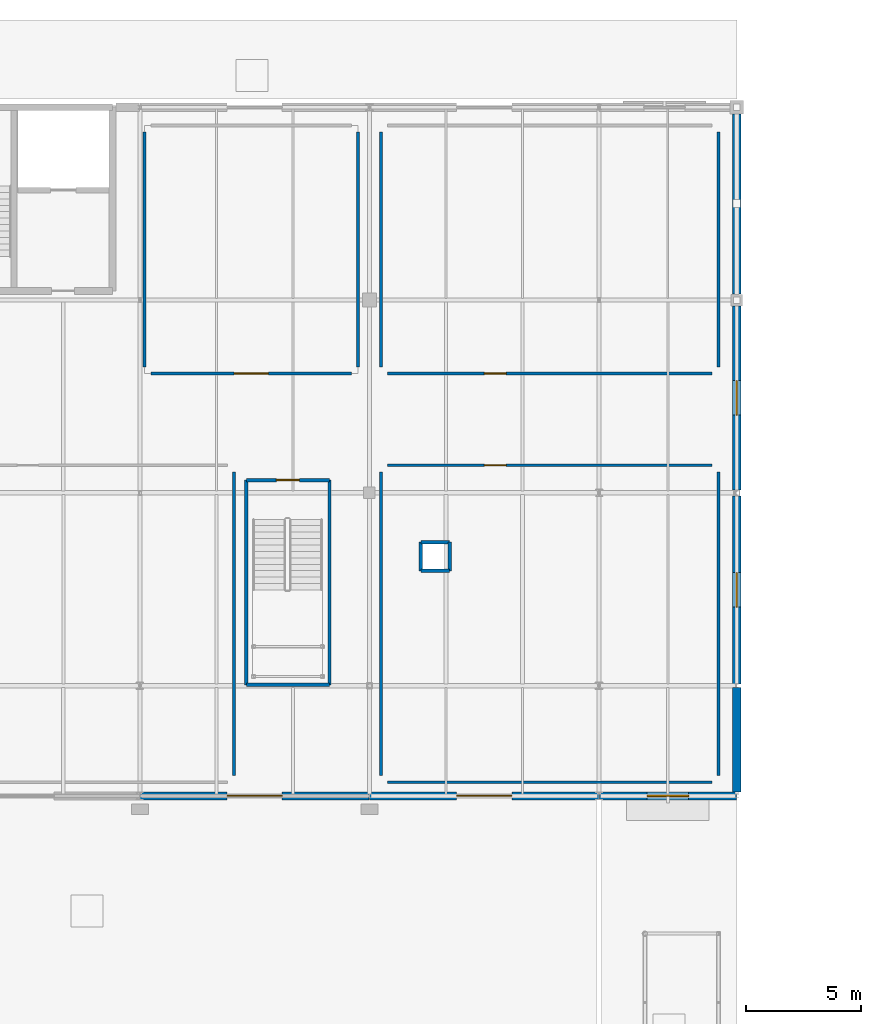
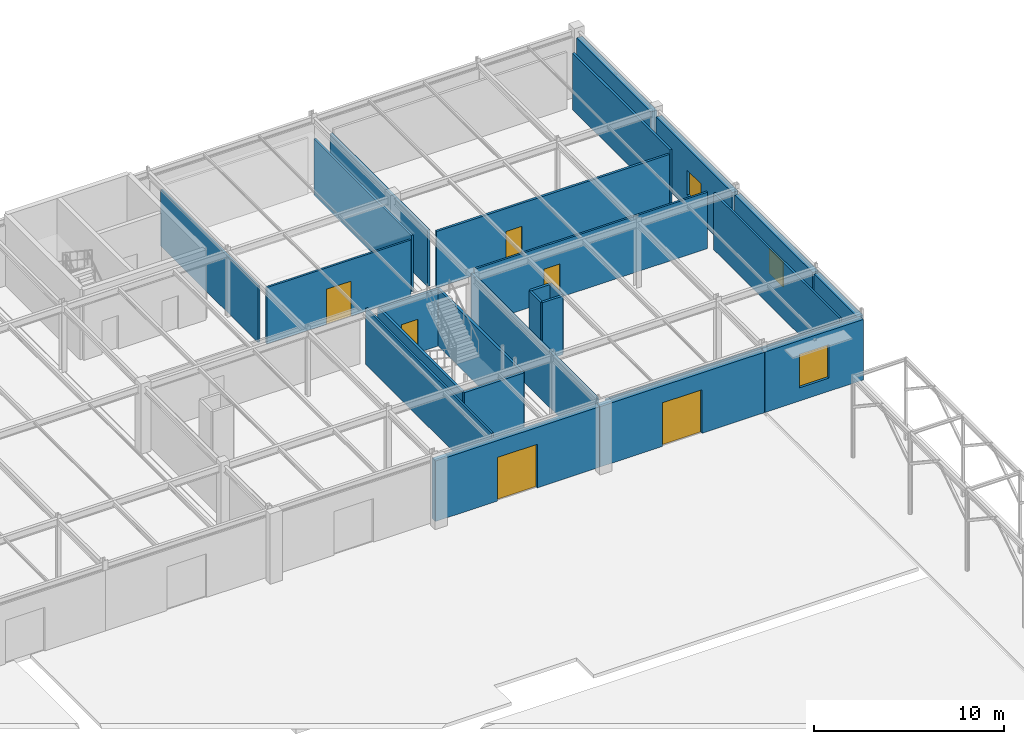
# One storey, part 96 of 119: 26 walls, 6 doors, 3 windows, 9 openings.
"""IFC4 building model written with IfcOpenShell, lengths in metres."""

from ifc_helpers import new_model, si_unit, derived_unit, direction, frame, frame_2d, origin, place, context, subcontext, project, spatial, rectangle, extrude, material, layer, layer_set, type_object, element, fill, save


model = new_model("IFC4")

# Units and contexts
model_context = context("Model", 3, precision=1e-05, world=origin(), true_north=direction((0.0, 1.0)))
body_context = subcontext(model_context, "Body", "Model", "MODEL_VIEW")
ifc_project = project(units=[si_unit("LENGTHUNIT", "METRE"), si_unit("AREAUNIT", "SQUARE_METRE"), si_unit("VOLUMEUNIT", "CUBIC_METRE"), si_unit("PLANEANGLEUNIT", "RADIAN"), si_unit("MASSUNIT", "GRAM", prefix="KILO"), derived_unit("THERMALTRANSMITTANCEUNIT", [(si_unit("POWERUNIT", "WATT"), 1), (si_unit("LENGTHUNIT", "METRE"), -2), (si_unit("THERMODYNAMICTEMPERATUREUNIT", "KELVIN"), -1)])], contexts=[model_context])

# Site, building, storey
site_placement = place(None, origin())
site = spatial("IfcSite", under=ifc_project, at=site_placement, CompositionType="ELEMENT")
building_placement = place(site_placement, origin())
building = spatial("IfcBuilding", under=site, at=building_placement, Name="Cinnabar Yard Market Hall", CompositionType="ELEMENT")
storey_placement = place(building_placement, origin())
storey = spatial("IfcBuildingStorey", under=building, at=storey_placement, Name="L00", CompositionType="ELEMENT", Elevation=0.0)

# Walls
ifc_material_1 = material(Name="Acoustic steel-stud plasterboard", Category="steel")
ifc_layer_1 = layer(ifc_material_1, 0.1201171875)
ifc_layer_set_1 = layer_set([ifc_layer_1], Name="Acoustic steel-stud plasterboard")
wall_type_1 = type_object("IfcWallType", Name="WL-PT120", PredefinedType="PARTITIONING", material=ifc_layer_set_1)
wall_1_placement = place(storey_placement, frame((140.10009765625, 108.8798828125, 0.0), z_axis=(0.0, 0.0, 1.0), x_axis=(0.0, 1.0, 0.0)))
element("IfcWall", 1, at=wall_1_placement, inside=storey, type_object=wall_type_1, Name="Partition Ceramic Tableware and Knife Workshop east", PredefinedType="PARTITIONING", context=body_context, shape_type="SweptSolid", body=[
    extrude(rectangle(XDim=13.240234375, YDim=0.1201171875, at=frame_2d((6.6201171875, 0.0), x_axis=(1.0, 0.0))), origin(), (0.0, 0.0, 1.0), 3.6201171875),
])
wall_2_placement = place(storey_placement, frame((146.780029296875, 108.60009765625, 0.0), z_axis=(0.0, 0.0, 1.0), x_axis=(1.0, 0.0, 0.0)))
element("IfcWall", 2, at=wall_2_placement, inside=storey, type_object=wall_type_1, Name="Partition Botanical Spice Blending Workshop south", PredefinedType="PARTITIONING", context=body_context, shape_type="SweptSolid", body=[
    extrude(rectangle(XDim=14.139892578125, YDim=0.1201171875, at=frame_2d((7.06982421875, 0.0), x_axis=(1.0, 0.0))), origin(), (0.0, 0.0, 1.0), 3.6201171875),
])
wall_3_placement = place(storey_placement, frame((161.199951171875, 108.8798828125, 0.0), z_axis=(0.0, 0.0, 1.0), x_axis=(0.0, 1.0, 0.0)))
element("IfcWall", 3, at=wall_3_placement, inside=storey, type_object=wall_type_1, Name="Partition Botanical Spice Blending Workshop east", PredefinedType="PARTITIONING", context=body_context, shape_type="SweptSolid", body=[
    extrude(rectangle(XDim=13.240234375, YDim=0.1201171875, at=frame_2d((6.6201171875, 0.0), x_axis=(1.0, 0.0))), origin(), (0.0, 0.0, 1.0), 3.6201171875),
])

# Wall, opening, door
wall_4_placement = place(storey_placement, frame((160.919921875, 122.39990234375, 0.0), z_axis=(0.0, 0.0, 1.0), x_axis=(-1.0, 0.0, 0.0)))
wall_4 = element("IfcWall", 4, at=wall_4_placement, inside=storey, type_object=wall_type_1, Name="Partition Botanical Spice Blending Workshop north", PredefinedType="PARTITIONING", context=body_context, shape_type="SweptSolid", body=[
    extrude(rectangle(XDim=14.139892578125, YDim=0.1201171875, at=frame_2d((7.06982421875, 0.0), x_axis=(1.0, 0.0))), origin(), (0.0, 0.0, 1.0), 3.6201171875),
])
opening_1_placement = place(wall_4_placement, frame((8.96923828125, 0.0, 0.0)))
opening_1 = element("IfcOpeningElement", 5, at=opening_1_placement, cuts=wall_4, Name="Opening ID-134", PredefinedType="OPENING", context=body_context, shape_type="SweptSolid", body=[
    extrude(rectangle(XDim=0.949951171875, YDim=2.14990234375, at=frame_2d((0.47509765625, 1.074951171875), x_axis=(1.0, 0.0))), frame((0.0, 0.070068359375, 0.0), z_axis=(0.0, -1.0, 0.0), x_axis=(1.0, 0.0, 0.0)), (0.0, 0.0, 1.0), 0.14013671875),
])
ifc_material_2 = material(Name="Solid-core spotted gum timber", Category="wood")
door_type_1 = type_object("IfcDoorType", Name="DR-D06", OperationType="NOTDEFINED", PredefinedType="DOOR", material=ifc_material_2)
door_1_placement = place(opening_1_placement, origin())
door_1 = element("IfcDoor", 6, at=door_1_placement, inside=storey, type_object=door_type_1, Name="Interior Door ID-134", OperationType="SINGLE_SWING_LEFT", OverallHeight=2.14990234375, OverallWidth=0.949951171875, PredefinedType="DOOR", context=body_context, shape_type="SweptSolid", body=[
    extrude(rectangle(XDim=0.949951171875, YDim=2.14990234375, at=frame_2d((0.47509765625, 1.074951171875), x_axis=(1.0, 0.0))), frame((0.0, 0.02490234375, 0.0), z_axis=(0.0, -1.0, 0.0), x_axis=(1.0, 0.0, 0.0)), (0.0, 0.0, 1.0), 0.050048828125),
])
fill(opening_1, door_1)

# Wall
wall_5_placement = place(storey_placement, frame((146.5, 122.1201171875, 0.0), z_axis=(0.0, 0.0, 1.0), x_axis=(0.0, -1.0, 0.0)))
element("IfcWall", 7, at=wall_5_placement, inside=storey, type_object=wall_type_1, Name="Partition Botanical Spice Blending Workshop west", PredefinedType="PARTITIONING", context=body_context, shape_type="SweptSolid", body=[
    extrude(rectangle(XDim=13.240234375, YDim=0.1201171875, at=frame_2d((6.6201171875, 0.0), x_axis=(1.0, 0.0))), origin(), (0.0, 0.0, 1.0), 3.6201171875),
])

# Wall, opening, door
wall_6_placement = place(storey_placement, frame((136.47998046875, 126.39990234375, 0.0), z_axis=(0.0, 0.0, 1.0), x_axis=(1.0, 0.0, 0.0)))
wall_6 = element("IfcWall", 8, at=wall_6_placement, inside=storey, type_object=wall_type_1, Name="Partition Market Heritage Community Room 02 south", PredefinedType="PARTITIONING", context=body_context, shape_type="SweptSolid", body=[
    extrude(rectangle(XDim=8.739990234375, YDim=0.1201171875, at=frame_2d((4.3701171875, 0.0), x_axis=(1.0, 0.0))), origin(), (0.0, 0.0, 1.0), 3.6201171875),
])
opening_2_placement = place(wall_6_placement, frame((3.6201171875, 0.0, 0.0)))
opening_2 = element("IfcOpeningElement", 9, at=opening_2_placement, cuts=wall_6, Name="Opening ID-137", PredefinedType="OPENING", context=body_context, shape_type="SweptSolid", body=[
    extrude(rectangle(XDim=1.5, YDim=2.25, at=frame_2d((0.75, 1.125), x_axis=(1.0, 0.0))), frame((0.0, 0.070068359375, 0.0), z_axis=(0.0, -1.0, 0.0), x_axis=(1.0, 0.0, 0.0)), (0.0, 0.0, 1.0), 0.14013671875),
])
ifc_material_3 = material(Name="Spotted gum timber and vision glass", Category="wood")
door_type_2 = type_object("IfcDoorType", Name="DR-D08", OperationType="NOTDEFINED", PredefinedType="DOOR", material=ifc_material_3)
door_2_placement = place(opening_2_placement, origin())
door_2 = element("IfcDoor", 10, at=door_2_placement, inside=storey, type_object=door_type_2, Name="Interior Door ID-137", OperationType="DOUBLE_SWING_RIGHT", OverallHeight=2.25, OverallWidth=1.5, PredefinedType="DOOR", context=body_context, shape_type="SweptSolid", body=[
    extrude(rectangle(XDim=1.5, YDim=2.25, at=frame_2d((0.75, 1.125), x_axis=(1.0, 0.0))), frame((0.0, 0.02490234375, 0.0), z_axis=(0.0, -1.0, 0.0), x_axis=(1.0, 0.0, 0.0)), (0.0, 0.0, 1.0), 0.050048828125),
])
fill(opening_2, door_2)

# Walls
for number, where, z_axis, x_axis, name in (
    (11, (145.5, 126.679931640625, 0.0), (0.0, 0.0, 1.0), (0.0, 1.0, 0.0), "Partition Market Heritage Community Room 02 east"),
    (12, (136.199951171875, 136.919921875, 0.0), (0.0, 0.0, 1.0), (0.0, -1.0, 0.0), "Partition Market Heritage Community Room 02 west"),
):
    element("IfcWall", number, at=place(storey_placement, frame(where, z_axis=z_axis, x_axis=x_axis)), inside=storey, type_object=wall_type_1, Name=name, PredefinedType="PARTITIONING", context=body_context, shape_type="SweptSolid", body=[
        extrude(rectangle(XDim=10.239990234375, YDim=0.1201171875, at=frame_2d((5.1201171875, 0.0), x_axis=(1.0, 0.0))), origin(), (0.0, 0.0, 1.0), 3.6201171875),
    ])

# Wall, opening, door
ifc_material_4 = material(Name="Moisture-resistant tiled service wall")
ifc_layer_2 = layer(ifc_material_4, 0.139892578125)
ifc_layer_set_2 = layer_set([ifc_layer_2], Name="Moisture-resistant tiled service wall")
wall_type_2 = type_object("IfcWallType", Name="WL-PT140", PredefinedType="PLUMBINGWALL", material=ifc_layer_set_2)
wall_7_placement = place(storey_placement, frame((146.780029296875, 126.39990234375, 0.0), z_axis=(0.0, 0.0, 1.0), x_axis=(1.0, 0.0, 0.0)))
wall_7 = element("IfcWall", 13, at=wall_7_placement, inside=storey, type_object=wall_type_2, Name="Partition North Wing Public and Accessible WC south", PredefinedType="PLUMBINGWALL", context=body_context, shape_type="SweptSolid", body=[
    extrude(rectangle(XDim=14.139892578125, YDim=0.139892578125, at=frame_2d((7.06982421875, 0.0), x_axis=(1.0, 0.0))), origin(), (0.0, 0.0, 1.0), 3.6201171875),
])
opening_3_placement = place(wall_7_placement, frame((4.220703125, 0.0, 0.0)))
opening_3 = element("IfcOpeningElement", 14, at=opening_3_placement, cuts=wall_7, Name="Opening ID-138", PredefinedType="OPENING", context=body_context, shape_type="SweptSolid", body=[
    extrude(rectangle(XDim=0.949951171875, YDim=2.14990234375, at=frame_2d((0.47509765625, 1.074951171875), x_axis=(1.0, 0.0))), frame((0.0, 0.079833984375, 0.0), z_axis=(0.0, -1.0, 0.0), x_axis=(1.0, 0.0, 0.0)), (0.0, 0.0, 1.0), 0.159912109375),
])
door_3_placement = place(opening_3_placement, origin())
door_3 = element("IfcDoor", 15, at=door_3_placement, inside=storey, type_object=door_type_1, Name="Interior Door ID-138", OperationType="SINGLE_SWING_LEFT", OverallHeight=2.14990234375, OverallWidth=0.949951171875, PredefinedType="DOOR", context=body_context, shape_type="SweptSolid", body=[
    extrude(rectangle(XDim=0.949951171875, YDim=2.14990234375, at=frame_2d((0.47509765625, 1.074951171875), x_axis=(1.0, 0.0))), frame((0.0, 0.02490234375, 0.0), z_axis=(0.0, -1.0, 0.0), x_axis=(1.0, 0.0, 0.0)), (0.0, 0.0, 1.0), 0.050048828125),
])
fill(opening_3, door_3)

# Walls
for number, where, z_axis, x_axis, name in (
    (16, (161.199951171875, 126.679931640625, 0.0), (0.0, 0.0, 1.0), (0.0, 1.0, 0.0), "Partition North Wing Public and Accessible WC east"),
    (17, (146.5, 136.919921875, 0.0), (0.0, 0.0, 1.0), (0.0, -1.0, 0.0), "Partition North Wing Public and Accessible WC west"),
):
    element("IfcWall", number, at=place(storey_placement, frame(where, z_axis=z_axis, x_axis=x_axis)), inside=storey, type_object=wall_type_2, Name=name, PredefinedType="PLUMBINGWALL", context=body_context, shape_type="SweptSolid", body=[
        extrude(rectangle(XDim=10.239990234375, YDim=0.139892578125, at=frame_2d((5.1201171875, 0.0), x_axis=(1.0, 0.0))), origin(), (0.0, 0.0, 1.0), 3.6201171875),
    ])
ifc_material_5 = material(Name="Fire-rated steel-stud plasterboard", Category="steel")
ifc_layer_3 = layer(ifc_material_5, 0.14990234375)
ifc_layer_set_3 = layer_set([ifc_layer_3], Name="Fire-rated steel-stud plasterboard")
wall_type_3 = type_object("IfcWallType", Name="WL-PT150", PredefinedType="PARTITIONING", material=ifc_layer_set_3)
for number, where, z_axis, x_axis, name in (
    (18, (140.639892578125, 121.760009765625, 0.0), (0.0, 0.0, 1.0), (0.0, -1.0, 0.0), "Stair ST-F6 Shaft Wall W L00"),
    (19, (144.260009765625, 112.840087890625, 0.0), (0.0, 0.0, 1.0), (0.0, 1.0, 0.0), "Stair ST-F6 Shaft Wall E L00"),
):
    element("IfcWall", number, at=place(storey_placement, frame(where, z_axis=z_axis, x_axis=x_axis)), inside=storey, type_object=wall_type_3, Name=name, PredefinedType="PARTITIONING", context=body_context, shape_type="SweptSolid", body=[
        extrude(rectangle(XDim=8.919921875, YDim=0.14990234375, at=frame_2d((4.4599609375, 0.0), x_axis=(1.0, 0.0))), origin(), (0.0, 0.0, 1.0), 3.659912109375),
    ])
wall_8_placement = place(storey_placement, frame((140.639892578125, 112.840087890625, 0.0), z_axis=(0.0, 0.0, 1.0), x_axis=(1.0, 0.0, 0.0)))
element("IfcWall", 20, at=wall_8_placement, inside=storey, type_object=wall_type_3, Name="Stair ST-F6 Shaft Wall S L00", PredefinedType="PARTITIONING", context=body_context, shape_type="SweptSolid", body=[
    extrude(rectangle(XDim=3.6201171875, YDim=0.14990234375, at=frame_2d((1.81005859375, 0.0), x_axis=(1.0, 0.0))), origin(), (0.0, 0.0, 1.0), 3.659912109375),
])

# Wall, opening, door
wall_9_placement = place(storey_placement, frame((144.260009765625, 121.760009765625, 0.0), z_axis=(0.0, 0.0, 1.0), x_axis=(-1.0, 0.0, 0.0)))
wall_9 = element("IfcWall", 21, at=wall_9_placement, inside=storey, type_object=wall_type_3, Name="Stair ST-F6 Shaft Wall N L00", PredefinedType="PARTITIONING", context=body_context, shape_type="SweptSolid", body=[
    extrude(rectangle(XDim=3.6201171875, YDim=0.14990234375, at=frame_2d((1.81005859375, 0.0), x_axis=(1.0, 0.0))), origin(), (0.0, 0.0, 1.0), 3.659912109375),
])
opening_4_placement = place(wall_9_placement, frame((1.31005859375, 0.0, 0.0)))
opening_4 = element("IfcOpeningElement", 22, at=opening_4_placement, cuts=wall_9, Name="Opening CD-081", PredefinedType="OPENING", context=body_context, shape_type="SweptSolid", body=[
    extrude(rectangle(XDim=1.0, YDim=2.14990234375, at=frame_2d((0.5, 1.074951171875), x_axis=(1.0, 0.0))), frame((0.0, 0.0849609375, 0.0), z_axis=(0.0, -1.0, 0.0), x_axis=(1.0, 0.0, 0.0)), (0.0, 0.0, 1.0), 0.169921875),
])
door_type_3 = type_object("IfcDoorType", Name="DR-D05", OperationType="NOTDEFINED", PredefinedType="DOOR", material=ifc_material_2)
door_4_placement = place(opening_4_placement, origin())
door_4 = element("IfcDoor", 23, at=door_4_placement, inside=storey, type_object=door_type_3, Name="Stair Door CD-081", OperationType="SINGLE_SWING_LEFT", OverallHeight=2.14990234375, OverallWidth=1.0, PredefinedType="DOOR", context=body_context, shape_type="SweptSolid", body=[
    extrude(rectangle(XDim=1.0, YDim=2.14990234375, at=frame_2d((0.5, 1.074951171875), x_axis=(1.0, 0.0))), frame((0.0, 0.02490234375, 0.0), z_axis=(0.0, -1.0, 0.0), x_axis=(1.0, 0.0, 0.0)), (0.0, 0.0, 1.0), 0.050048828125),
])
fill(opening_4, door_4)

# Walls
for number, where, z_axis, x_axis, name in (
    (24, (148.239990234375, 117.800048828125, 0.0), (0.0, 0.0, 1.0), (1.0, 0.0, 0.0), "Service Shaft Wall L00-5-1"),
    (25, (149.489990234375, 117.800048828125, 0.0), (0.0, 0.0, 1.0), (0.0, 1.0, 0.0), "Service Shaft Wall L00-5-2"),
    (26, (149.489990234375, 119.050048828125, 0.0), (0.0, 0.0, 1.0), (-1.0, 0.0, 0.0), "Service Shaft Wall L00-5-3"),
    (27, (148.239990234375, 119.050048828125, 0.0), (0.0, 0.0, 1.0), (0.0, -1.0, 0.0), "Service Shaft Wall L00-5-4"),
):
    element("IfcWall", number, at=place(storey_placement, frame(where, z_axis=z_axis, x_axis=x_axis)), inside=storey, type_object=wall_type_3, Name=name, PredefinedType="PARTITIONING", context=body_context, shape_type="SweptSolid", body=[
        extrude(rectangle(XDim=1.25, YDim=0.14990234375, at=frame_2d((0.625, 0.0), x_axis=(1.0, 0.0))), origin(), (0.0, 0.0, 1.0), 3.760009765625),
    ])

# Wall, opening, door
ifc_material_6 = material(Name="Red sandstone ashlar over Concrete 32 MPa", Category="masonry")
ifc_layer_4 = layer(ifc_material_6, 0.35009765625)
ifc_layer_set_4 = layer_set([ifc_layer_4], Name="Red sandstone ashlar over Concrete 32 MPa")
wall_type_4 = type_object("IfcWallType", Name="WL-W-EXT1", PredefinedType="SOLIDWALL", material=ifc_layer_set_4)
wall_10_placement = place(storey_placement, frame((136.010009765625, 108.0, 0.0), z_axis=(0.0, 0.0, 1.0), x_axis=(1.0, 0.0, 0.0)))
wall_10 = element("IfcWall", 28, at=wall_10_placement, inside=storey, type_object=wall_type_4, Name="Wing South Wall L00 Bay 8", PredefinedType="SOLIDWALL", context=body_context, shape_type="SweptSolid", body=[
    extrude(rectangle(XDim=9.97998046875, YDim=0.35009765625, at=frame_2d((4.989990234375, 0.0), x_axis=(1.0, 0.0))), origin(), (0.0, 0.0, 1.0), 3.8798828125),
])
opening_5_placement = place(wall_10_placement, frame((3.7900390625, 0.0, 0.0)))
opening_5 = element("IfcOpeningElement", 29, at=opening_5_placement, cuts=wall_10, Name="Opening ED-033", PredefinedType="OPENING", context=body_context, shape_type="SweptSolid", body=[
    extrude(rectangle(XDim=2.39990234375, YDim=2.800048828125, at=frame_2d((1.199951171875, 1.39990234375), x_axis=(1.0, 0.0))), frame((0.0, 0.18505859375, 0.0), z_axis=(0.0, -1.0, 0.0), x_axis=(1.0, 0.0, 0.0)), (0.0, 0.0, 1.0), 0.3701171875),
])
ifc_material_7 = material(Name="Anodised bronze aluminium and toughened glass", Category="aluminium")
door_type_4 = type_object("IfcDoorType", Name="DR-D02", OperationType="NOTDEFINED", PredefinedType="DOOR", material=ifc_material_7)
door_5_placement = place(opening_5_placement, origin())
door_5 = element("IfcDoor", 30, at=door_5_placement, inside=storey, type_object=door_type_4, Name="Door ED-033", OperationType="DOUBLE_SWING_LEFT", OverallHeight=2.800048828125, OverallWidth=2.39990234375, PredefinedType="DOOR", context=body_context, shape_type="SweptSolid", body=[
    extrude(rectangle(XDim=2.39990234375, YDim=2.800048828125, at=frame_2d((1.199951171875, 1.39990234375), x_axis=(1.0, 0.0))), frame((0.0, 0.02490234375, 0.0), z_axis=(0.0, -1.0, 0.0), x_axis=(1.0, 0.0, 0.0)), (0.0, 0.0, 1.0), 0.050048828125),
])
fill(opening_5, door_5)

wall_11_placement = place(storey_placement, frame((146.010009765625, 108.0, 0.0), z_axis=(0.0, 0.0, 1.0), x_axis=(1.0, 0.0, 0.0)))
wall_11 = element("IfcWall", 31, at=wall_11_placement, inside=storey, type_object=wall_type_4, Name="Wing South Wall L00 Bay 9", PredefinedType="SOLIDWALL", context=body_context, shape_type="SweptSolid", body=[
    extrude(rectangle(XDim=9.97900390625, YDim=0.35009765625, at=frame_2d((4.989501953125, 0.0), x_axis=(1.0, 0.0))), origin(), (0.0, 0.0, 1.0), 3.8798828125),
])
opening_6_placement = place(wall_11_placement, frame((3.78955078125, 0.0, 0.0)))
opening_6 = element("IfcOpeningElement", 32, at=opening_6_placement, cuts=wall_11, Name="Opening ED-035", PredefinedType="OPENING", context=body_context, shape_type="SweptSolid", body=[
    extrude(rectangle(XDim=2.39990234375, YDim=2.800048828125, at=frame_2d((1.199951171875, 1.39990234375), x_axis=(1.0, 0.0))), frame((0.0, 0.18505859375, 0.0), z_axis=(0.0, -1.0, 0.0), x_axis=(1.0, 0.0, 0.0)), (0.0, 0.0, 1.0), 0.3701171875),
])
door_6_placement = place(opening_6_placement, origin())
door_6 = element("IfcDoor", 33, at=door_6_placement, inside=storey, type_object=door_type_4, Name="Door ED-035", OperationType="DOUBLE_SWING_LEFT", OverallHeight=2.800048828125, OverallWidth=2.39990234375, PredefinedType="DOOR", context=body_context, shape_type="SweptSolid", body=[
    extrude(rectangle(XDim=2.39990234375, YDim=2.800048828125, at=frame_2d((1.199951171875, 1.39990234375), x_axis=(1.0, 0.0))), frame((0.0, 0.02490234375, 0.0), z_axis=(0.0, -1.0, 0.0), x_axis=(1.0, 0.0, 0.0)), (0.0, 0.0, 1.0), 0.050048828125),
])
fill(opening_6, door_6)

# Wall, opening, window
wall_12_placement = place(storey_placement, frame((156.010986328125, 108.0, 0.0), z_axis=(0.0, 0.0, 1.0), x_axis=(1.0, 0.0, 0.0)))
wall_12 = element("IfcWall", 34, at=wall_12_placement, inside=storey, type_object=wall_type_4, Name="Wing South Wall L00 Bay 10", PredefinedType="SOLIDWALL", context=body_context, shape_type="SweptSolid", body=[
    extrude(rectangle(XDim=5.97900390625, YDim=0.35009765625, at=frame_2d((2.989501953125, 0.0), x_axis=(1.0, 0.0))), origin(), (0.0, 0.0, 1.0), 3.8798828125),
])
opening_7_placement = place(wall_12_placement, frame((2.089599609375, 0.0, 0.85009765625)))
opening_7 = element("IfcOpeningElement", 35, at=opening_7_placement, cuts=wall_12, Name="Opening W01", PredefinedType="OPENING", context=body_context, shape_type="SweptSolid", body=[
    extrude(rectangle(XDim=1.800048828125, YDim=2.14990234375, at=frame_2d((0.89990234375, 1.074951171875), x_axis=(1.0, 0.0))), frame((0.0, 0.18505859375, 0.0), z_axis=(0.0, -1.0, 0.0), x_axis=(1.0, 0.0, 0.0)), (0.0, 0.0, 1.0), 0.3701171875),
])
ifc_material_8 = material(Name="Low-E double glazing in bronze aluminium", Category="aluminium")
window_type_1 = type_object("IfcWindowType", Name="WN-W01", PartitioningType="SINGLE_PANEL", PredefinedType="WINDOW", material=ifc_material_8)
window_1_placement = place(opening_7_placement, origin())
window_1 = element("IfcWindow", 36, at=window_1_placement, inside=storey, type_object=window_type_1, Name="Window WN-V3S-L00-10", OverallHeight=2.14990234375, OverallWidth=1.800048828125, PartitioningType="SINGLE_PANEL", PredefinedType="WINDOW", context=body_context, shape_type="SweptSolid", body=[
    extrude(rectangle(XDim=1.800048828125, YDim=2.14990234375, at=frame_2d((0.89990234375, 1.074951171875), x_axis=(1.0, 0.0))), frame((0.0, 0.030029296875, 0.0), z_axis=(0.0, -1.0, 0.0), x_axis=(1.0, 0.0, 0.0)), (0.0, 0.0, 1.0), 0.06005859375),
])
fill(opening_7, window_1)

# Wall
wall_13_placement = place(storey_placement, frame((162.0, 108.169921875, 0.0), z_axis=(0.0, 0.0, 1.0), x_axis=(0.0, 1.0, 0.0)))
element("IfcWall", 37, at=wall_13_placement, inside=storey, type_object=wall_type_4, Name="Wing East End Wall L00 Seg 1", PredefinedType="SOLIDWALL", context=body_context, shape_type="SweptSolid", body=[
    extrude(rectangle(XDim=4.5498046875, YDim=0.35009765625, at=frame_2d((2.27490234375, 0.0), x_axis=(1.0, 0.0))), origin(), (0.0, 0.0, 1.0), 3.8798828125),
])

# Wall, opening, window
wall_14_placement = place(storey_placement, frame((162.0, 112.880126953125, 0.0), z_axis=(0.0, 0.0, 1.0), x_axis=(0.0, 1.0, 0.0)))
wall_14 = element("IfcWall", 38, at=wall_14_placement, inside=storey, type_object=wall_type_4, Name="Wing East End Wall L00 Seg 2", PredefinedType="SOLIDWALL", context=body_context, shape_type="SweptSolid", body=[
    extrude(rectangle(XDim=8.189453125, YDim=0.35009765625, at=frame_2d((4.0947265625, 0.0), x_axis=(1.0, 0.0))), origin(), (0.0, 0.0, 1.0), 3.8798828125),
])
opening_8_placement = place(wall_14_placement, frame((3.3447265625, 0.0, 0.85009765625)))
opening_8 = element("IfcOpeningElement", 39, at=opening_8_placement, cuts=wall_14, Name="Opening W03", PredefinedType="OPENING", context=body_context, shape_type="SweptSolid", body=[
    extrude(rectangle(XDim=1.5, YDim=1.60009765625, at=frame_2d((0.75, 0.800048828125), x_axis=(1.0, 0.0))), frame((0.0, 0.18505859375, 0.0), z_axis=(0.0, -1.0, 0.0), x_axis=(1.0, 0.0, 0.0)), (0.0, 0.0, 1.0), 0.3701171875),
])
window_type_2 = type_object("IfcWindowType", Name="WN-W03", PartitioningType="SINGLE_PANEL", PredefinedType="WINDOW", material=ifc_material_8)
window_2_placement = place(opening_8_placement, origin())
window_2 = element("IfcWindow", 40, at=window_2_placement, inside=storey, type_object=window_type_2, Name="Window WN-V3E-L00-2", OverallHeight=1.60009765625, OverallWidth=1.5, PartitioningType="SINGLE_PANEL", PredefinedType="WINDOW", context=body_context, shape_type="SweptSolid", body=[
    extrude(rectangle(XDim=1.5, YDim=1.60009765625, at=frame_2d((0.75, 0.800048828125), x_axis=(1.0, 0.0))), frame((0.0, 0.030029296875, 0.0), z_axis=(0.0, -1.0, 0.0), x_axis=(1.0, 0.0, 0.0)), (0.0, 0.0, 1.0), 0.06005859375),
])
fill(opening_8, window_2)

wall_15_placement = place(storey_placement, frame((162.0, 121.33056640625, 0.0), z_axis=(0.0, 0.0, 1.0), x_axis=(0.0, 1.0, 0.0)))
wall_15 = element("IfcWall", 41, at=wall_15_placement, inside=storey, type_object=wall_type_4, Name="Wing East End Wall L00 Seg 3", PredefinedType="SOLIDWALL", context=body_context, shape_type="SweptSolid", body=[
    extrude(rectangle(XDim=8.015380859375, YDim=0.35009765625, at=frame_2d((4.0078125, 0.0), x_axis=(1.0, 0.0))), origin(), (0.0, 0.0, 1.0), 3.8798828125),
])
opening_9_placement = place(wall_15_placement, frame((3.2578125, 0.0, 0.85009765625)))
opening_9 = element("IfcOpeningElement", 42, at=opening_9_placement, cuts=wall_15, Name="Opening W03", PredefinedType="OPENING", context=body_context, shape_type="SweptSolid", body=[
    extrude(rectangle(XDim=1.5, YDim=1.60009765625, at=frame_2d((0.75, 0.800048828125), x_axis=(1.0, 0.0))), frame((0.0, 0.18505859375, 0.0), z_axis=(0.0, -1.0, 0.0), x_axis=(1.0, 0.0, 0.0)), (0.0, 0.0, 1.0), 0.3701171875),
])
window_3_placement = place(opening_9_placement, origin())
window_3 = element("IfcWindow", 43, at=window_3_placement, inside=storey, type_object=window_type_2, Name="Window WN-V3E-L00-3", OverallHeight=1.60009765625, OverallWidth=1.5, PartitioningType="SINGLE_PANEL", PredefinedType="WINDOW", context=body_context, shape_type="SweptSolid", body=[
    extrude(rectangle(XDim=1.5, YDim=1.60009765625, at=frame_2d((0.75, 0.800048828125), x_axis=(1.0, 0.0))), frame((0.0, 0.030029296875, 0.0), z_axis=(0.0, -1.0, 0.0), x_axis=(1.0, 0.0, 0.0)), (0.0, 0.0, 1.0), 0.06005859375),
])
fill(opening_9, window_3)

# Wall
wall_16_placement = place(storey_placement, frame((162.0, 129.85400390625, 0.0), z_axis=(0.0, 0.0, 1.0), x_axis=(0.0, 1.0, 0.0)))
element("IfcWall", 44, at=wall_16_placement, inside=storey, type_object=wall_type_4, Name="Wing East End Wall L00 Seg 4", PredefinedType="SOLIDWALL", context=body_context, shape_type="SweptSolid", body=[
    extrude(rectangle(XDim=7.842041015625, YDim=0.35009765625, at=frame_2d((3.9208984375, 0.0), x_axis=(1.0, 0.0))), origin(), (0.0, 0.0, 1.0), 3.8798828125),
])

save(model, "model.ifc")
